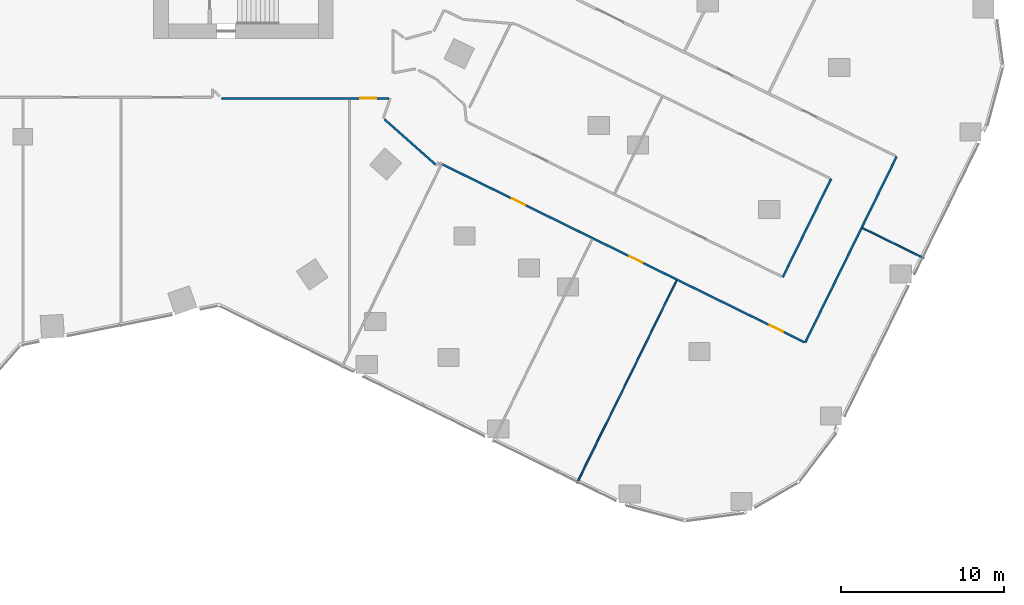
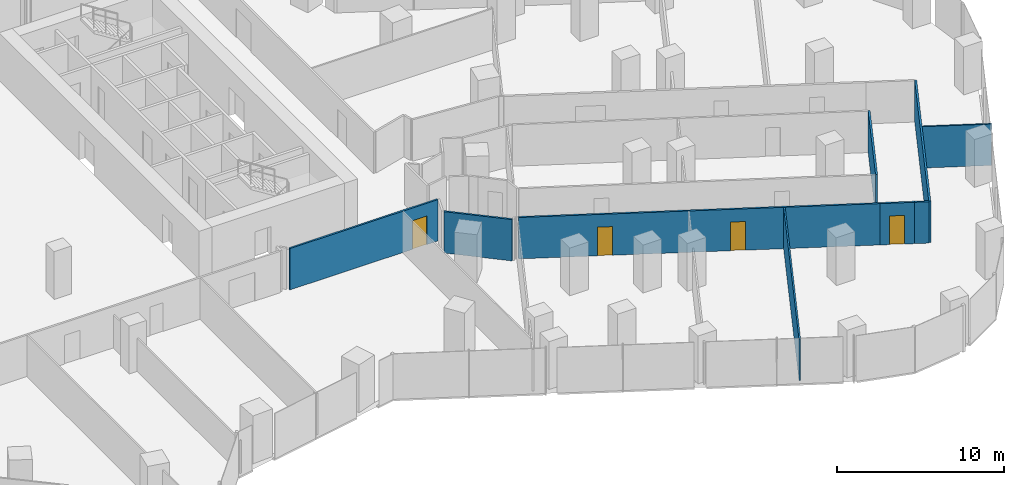
# One storey, part 29 of 38: 9 walls, 4 doors, 4 openings.
"""IFC4 building model written with IfcOpenShell, lengths in metres."""

from ifc_helpers import new_model, si_unit, direction, frame, frame_2d, origin, place, context, subcontext, project, spatial, rectangle, extrude, material, layer, layer_set, type_object, element, fill, save


model = new_model("IFC4")

# Units and contexts
model_context = context("Model", 3, precision=1e-05, world=origin(), true_north=direction((0.0, 1.0)))
body_context = subcontext(model_context, "Body", "Model", "MODEL_VIEW")
ifc_project = project(units=[si_unit("LENGTHUNIT", "METRE"), si_unit("AREAUNIT", "SQUARE_METRE"), si_unit("VOLUMEUNIT", "CUBIC_METRE"), si_unit("PLANEANGLEUNIT", "RADIAN"), si_unit("MASSUNIT", "GRAM", prefix="KILO")], contexts=[model_context])

# Site, building, storey
site_placement = place(None, origin())
site = spatial("IfcSite", under=ifc_project, at=site_placement, CompositionType="ELEMENT")
building_placement = place(site_placement, origin())
building = spatial("IfcBuilding", under=site, at=building_placement, Name="Orlundy Tower", CompositionType="ELEMENT")
storey_placement = place(building_placement, frame((0.0, 0.0, 72.800048828125)))
storey = spatial("IfcBuildingStorey", under=building, at=storey_placement, Name="L17", CompositionType="ELEMENT", Elevation=72.800048828125)

# Walls
ifc_material_1 = material(Name="Gypsum board partition")
ifc_layer_1 = layer(ifc_material_1, 0.10009765625)
ifc_layer_set_1 = layer_set([ifc_layer_1], Name="Floor partition 100")
wall_type_1 = type_object("IfcWallType", Name="Floor partition 100", PredefinedType="PARTITIONING", material=ifc_layer_set_1)
wall_1_placement = place(storey_placement, frame((51.427001953125, -23.597900390625, 0.0), z_axis=(0.0, 0.0, 1.0), x_axis=(0.897542181512, -0.44092860239, 0.0)))
element("IfcWall", 1, at=wall_1_placement, inside=storey, type_object=wall_type_1, Name="wall-int-L17-030", PredefinedType="PARTITIONING", context=body_context, shape_type="SweptSolid", body=[
    extrude(rectangle(XDim=4.18701171875, YDim=0.10009765625, at=frame_2d((2.093505859375, 0.0))), origin(), (0.0, 0.0, 1.0), 3.030029296875),
])
wall_2_placement = place(storey_placement, frame((33.926025390625, -39.22998046875, 0.0), z_axis=(0.0, 0.0, 1.0), x_axis=(0.441020089077, 0.897497231768, 0.0)))
element("IfcWall", 2, at=wall_2_placement, inside=storey, type_object=wall_type_1, Name="wall-int-L17-072", PredefinedType="PARTITIONING", context=body_context, shape_type="SweptSolid", body=[
    extrude(rectangle(XDim=13.836181640625, YDim=0.10009765625, at=frame_2d((6.91796875, 0.0))), origin(), (0.0, 0.0, 1.0), 3.030029296875),
])
ifc_material_2 = material(Name="Gypsum board partition, double layer")
ifc_layer_2 = layer(ifc_material_2, 0.125)
ifc_layer_set_2 = layer_set([ifc_layer_2], Name="Floor partition 125")
wall_type_2 = type_object("IfcWallType", Name="Floor partition 125", PredefinedType="PARTITIONING", material=ifc_layer_set_2)
wall_3_placement = place(storey_placement, frame((22.138916015625, -16.93603515625, 0.0), z_axis=(0.0, 0.0, 1.0), x_axis=(0.748665235529, -0.662948237127, 0.0)))
element("IfcWall", 3, at=wall_3_placement, inside=storey, type_object=wall_type_2, Name="wall-int-L17-010", PredefinedType="PARTITIONING", context=body_context, shape_type="SweptSolid", body=[
    extrude(rectangle(XDim=4.17822265625, YDim=0.125, at=frame_2d((2.089111328125, 0.0))), origin(), (0.0, 0.0, 1.0), 3.030029296875),
])

# Wall, openings, doors
wall_4_placement = place(storey_placement, frame((45.217041015625, -29.2919921875, 0.0), z_axis=(0.0, 0.0, 1.0), x_axis=(-0.897531499345, 0.440950346053, 0.0)))
wall_4 = element("IfcWall", 4, at=wall_4_placement, inside=storey, type_object=wall_type_2, Name="wall-int-L17-026", PredefinedType="PARTITIONING", context=body_context, shape_type="SweptSolid", body=[
    extrude(rectangle(XDim=21.757568359375, YDim=0.125, at=frame_2d((10.87890625, 0.0))), origin(), (0.0, 0.0, 1.0), 3.030029296875),
])
opening_1_placement = place(wall_4_placement, frame((8.100830078125, 0.0, 0.0)))
opening_1 = element("IfcOpeningElement", 5, at=opening_1_placement, cuts=wall_4, Name="Opening 14102", PredefinedType="OPENING", context=body_context, shape_type="SweptSolid", body=[
    extrude(rectangle(XDim=0.89990234375, YDim=2.10009765625, at=frame_2d((0.449951171875, 1.050048828125))), frame((0.0, 0.072509765625, 0.0), z_axis=(0.0, -1.0, 0.0), x_axis=(1.0, 0.0, 0.0)), (0.0, 0.0, 1.0), 0.14501953125),
])
opening_2_placement = place(wall_4_placement, frame((16.100830078125, 0.0, 0.0)))
opening_2 = element("IfcOpeningElement", 6, at=opening_2_placement, cuts=wall_4, Name="Opening 14108", PredefinedType="OPENING", context=body_context, shape_type="SweptSolid", body=[
    extrude(rectangle(XDim=0.89990234375, YDim=2.10009765625, at=frame_2d((0.449951171875, 1.050048828125))), frame((0.0, 0.072509765625, 0.0), z_axis=(0.0, -1.0, 0.0), x_axis=(1.0, 0.0, 0.0)), (0.0, 0.0, 1.0), 0.14501953125),
])
ifc_material_3 = material(Name="Timber door leaf", Category="wood")
door_type_1 = type_object("IfcDoorType", Name="Floor door single 900 FD30S", OperationType="NOTDEFINED", PredefinedType="DOOR", material=ifc_material_3)
door_1_placement = place(opening_1_placement, origin())
door_1 = element("IfcDoor", 7, at=door_1_placement, inside=storey, type_object=door_type_1, Name="Door 14102", OperationType="SINGLE_SWING_LEFT", OverallHeight=2.10009765625, OverallWidth=0.89990234375, PredefinedType="DOOR", context=body_context, shape_type="SweptSolid", body=[
    extrude(rectangle(XDim=0.89990234375, YDim=2.10009765625, at=frame_2d((0.449951171875, 1.050048828125))), frame((0.0, 0.02490234375, 0.0), z_axis=(0.0, -1.0, 0.0), x_axis=(1.0, 0.0, 0.0)), (0.0, 0.0, 1.0), 0.050048828125),
])
fill(opening_1, door_1)
door_2_placement = place(opening_2_placement, origin())
door_2 = element("IfcDoor", 8, at=door_2_placement, inside=storey, type_object=door_type_1, Name="Door 14108", OperationType="SINGLE_SWING_RIGHT", OverallHeight=2.10009765625, OverallWidth=0.89990234375, PredefinedType="DOOR", context=body_context, shape_type="SweptSolid", body=[
    extrude(rectangle(XDim=0.89990234375, YDim=2.10009765625, at=frame_2d((0.449951171875, 1.050048828125))), frame((0.0, 0.02490234375, 0.0), z_axis=(0.0, -1.0, 0.0), x_axis=(1.0, 0.0, 0.0)), (0.0, 0.0, 1.0), 0.050048828125),
])
fill(opening_2, door_2)

# Wall, opening, door
wall_5_placement = place(storey_placement, frame((47.0830078125, -30.2099609375, 0.0), z_axis=(0.0, 0.0, 1.0), x_axis=(-0.897296606975, 0.44142813584, 0.0)))
wall_5 = element("IfcWall", 9, at=wall_5_placement, inside=storey, type_object=wall_type_2, Name="wall-int-L17-028", PredefinedType="PARTITIONING", context=body_context, shape_type="SweptSolid", body=[
    extrude(rectangle(XDim=2.07958984375, YDim=0.125, at=frame_2d((1.039794921875, 0.0))), origin(), (0.0, 0.0, 1.0), 3.030029296875),
])
opening_3_placement = place(wall_5_placement, frame((0.60009765625, 0.0, 0.0)))
opening_3 = element("IfcOpeningElement", 10, at=opening_3_placement, cuts=wall_5, Name="Opening 14107", PredefinedType="OPENING", context=body_context, shape_type="SweptSolid", body=[
    extrude(rectangle(XDim=0.89990234375, YDim=2.10009765625, at=frame_2d((0.449951171875, 1.050048828125))), frame((0.0, 0.072509765625, 0.0), z_axis=(0.0, -1.0, 0.0), x_axis=(1.0, 0.0, 0.0)), (0.0, 0.0, 1.0), 0.14501953125),
])
door_3_placement = place(opening_3_placement, origin())
door_3 = element("IfcDoor", 11, at=door_3_placement, inside=storey, type_object=door_type_1, Name="Door 14107", OperationType="SINGLE_SWING_RIGHT", OverallHeight=2.10009765625, OverallWidth=0.89990234375, PredefinedType="DOOR", context=body_context, shape_type="SweptSolid", body=[
    extrude(rectangle(XDim=0.89990234375, YDim=2.10009765625, at=frame_2d((0.449951171875, 1.050048828125))), frame((0.0, 0.02490234375, 0.0), z_axis=(0.0, -1.0, 0.0), x_axis=(1.0, 0.0, 0.0)), (0.0, 0.0, 1.0), 0.050048828125),
])
fill(opening_3, door_3)

# Wall
wall_6_placement = place(storey_placement, frame((47.0830078125, -30.2099609375, 0.0), z_axis=(0.0, 0.0, 1.0), x_axis=(0.898154517821, -0.43967995419, 0.0)))
element("IfcWall", 12, at=wall_6_placement, inside=storey, type_object=wall_type_2, Name="wall-int-L17-034", PredefinedType="PARTITIONING", context=body_context, shape_type="SweptSolid", body=[
    extrude(rectangle(XDim=0.857421875, YDim=0.125, at=frame_2d((0.4287109375, 0.0))), origin(), (0.0, 0.0, 1.0), 3.030029296875),
])

# Wall, opening, door
wall_7_placement = place(storey_placement, frame((22.412109375, -15.65087890625, 0.0), z_axis=(0.0, 0.0, 1.0), x_axis=(-1.0, 0.0, 0.0)))
wall_7 = element("IfcWall", 13, at=wall_7_placement, inside=storey, type_object=wall_type_2, Name="wall-int-L17-048", PredefinedType="PARTITIONING", context=body_context, shape_type="SweptSolid", body=[
    extrude(rectangle(XDim=10.252197265625, YDim=0.125, at=frame_2d((5.1259765625, 0.0))), origin(), (0.0, 0.0, 1.0), 3.030029296875),
])
opening_4_placement = place(wall_7_placement, frame((0.76171875, 0.0, 0.0)))
opening_4 = element("IfcOpeningElement", 14, at=opening_4_placement, cuts=wall_7, Name="Opening 14129", PredefinedType="OPENING", context=body_context, shape_type="SweptSolid", body=[
    extrude(rectangle(XDim=1.0, YDim=2.10009765625, at=frame_2d((0.5, 1.050048828125))), frame((0.0, 0.072509765625, 0.0), z_axis=(0.0, -1.0, 0.0), x_axis=(1.0, 0.0, 0.0)), (0.0, 0.0, 1.0), 0.14501953125),
])
ifc_material_4 = material(Name="Timber door leaf", Category="wood")
door_type_2 = type_object("IfcDoorType", Name="Floor door wide 1000 FD30S", OperationType="NOTDEFINED", PredefinedType="DOOR", material=ifc_material_4)
door_4_placement = place(opening_4_placement, origin())
door_4 = element("IfcDoor", 15, at=door_4_placement, inside=storey, type_object=door_type_2, Name="Door 14129", OperationType="SINGLE_SWING_LEFT", OverallHeight=2.10009765625, OverallWidth=1.0, PredefinedType="DOOR", context=body_context, shape_type="SweptSolid", body=[
    extrude(rectangle(XDim=1.0, YDim=2.10009765625, at=frame_2d((0.5, 1.050048828125))), frame((0.0, 0.02490234375, 0.0), z_axis=(0.0, -1.0, 0.0), x_axis=(1.0, 0.0, 0.0)), (0.0, 0.0, 1.0), 0.050048828125),
])
fill(opening_4, door_4)

# Walls
wall_8_placement = place(storey_placement, frame((47.909912109375, -30.614990234375, 0.0), z_axis=(0.0, 0.0, 1.0), x_axis=(0.441070796209, 0.897472313072, 0.0)))
element("IfcWall", 16, at=wall_8_placement, inside=storey, type_object=wall_type_2, Name="wall-int-L17-070", PredefinedType="PARTITIONING", context=body_context, shape_type="SweptSolid", body=[
    extrude(rectangle(XDim=12.692138671875, YDim=0.125, at=frame_2d((6.34619140625, 0.0))), origin(), (0.0, 0.0, 1.0), 3.030029296875),
])
wall_9_placement = place(storey_placement, frame((46.5390625, -26.59912109375, 0.0), z_axis=(0.0, 0.0, 1.0), x_axis=(0.441022842823, 0.897495878603, 0.0)))
element("IfcWall", 17, at=wall_9_placement, inside=storey, type_object=wall_type_2, Name="wall-int-L17-071", PredefinedType="PARTITIONING", context=body_context, shape_type="SweptSolid", body=[
    extrude(rectangle(XDim=6.699951171875, YDim=0.125, at=frame_2d((3.35009765625, 0.0))), origin(), (0.0, 0.0, 1.0), 3.030029296875),
])

save(model, "model.ifc")
